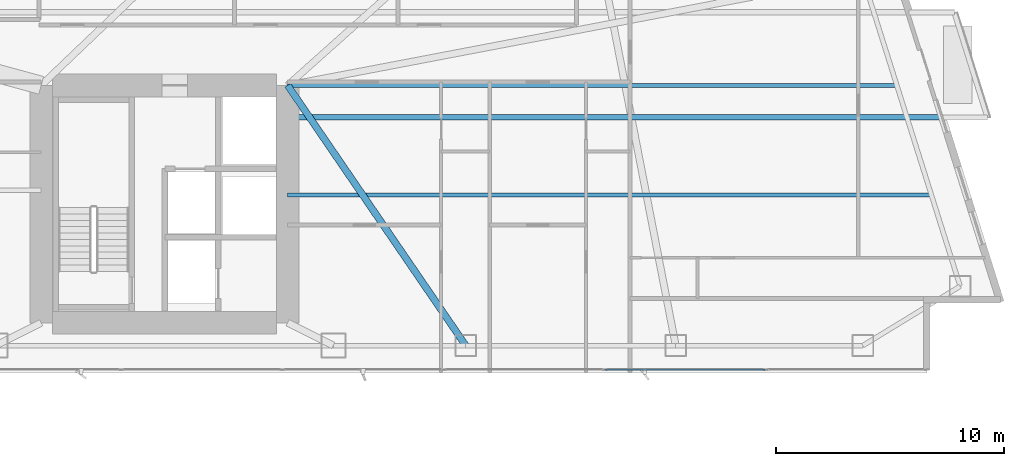
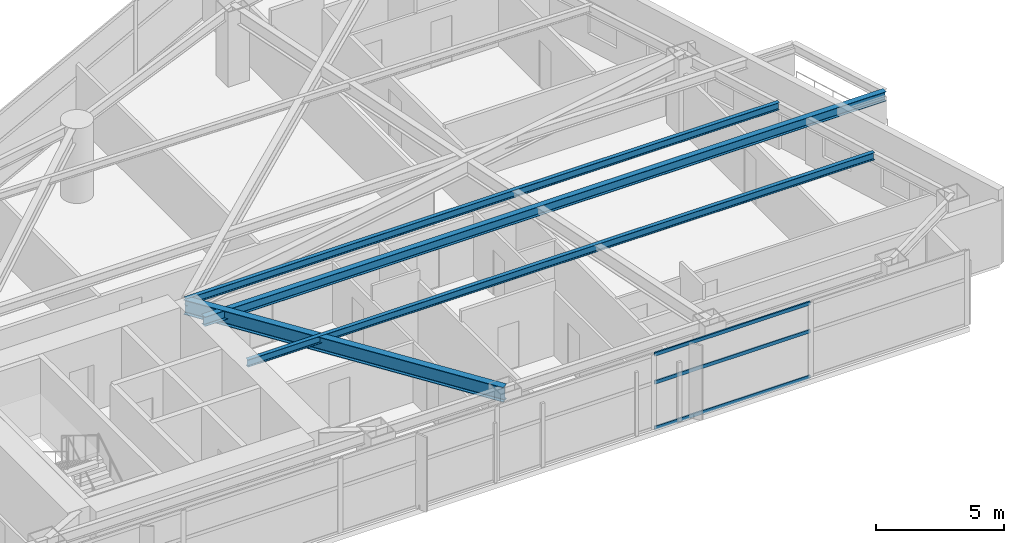
# One storey, part 13 of 29: 4 beams, 3 members, 1 element without a shape of its own.
"""IFC4 building model written with IfcOpenShell, lengths in metres."""

from ifc_helpers import new_model, si_unit, direction, frame, origin, origin_2d, place, context, subcontext, project, spatial, hollow_rectangle, i_section, extrude, material, layer, layer_set, material_profile, profile_set, type_object, element, aggregate, save


model = new_model("IFC4")

# Units and contexts
model_context = context("Model", 3, precision=1e-05, world=origin(), true_north=direction((0.0, 1.0)))
body_context = subcontext(model_context, "Body", "Model", "MODEL_VIEW")
ifc_project = project(units=[si_unit("LENGTHUNIT", "METRE"), si_unit("AREAUNIT", "SQUARE_METRE"), si_unit("VOLUMEUNIT", "CUBIC_METRE"), si_unit("PLANEANGLEUNIT", "RADIAN"), si_unit("MASSUNIT", "GRAM", prefix="KILO")], contexts=[model_context])

# Site, building, storey
site_placement = place(None, origin())
site = spatial("IfcSite", under=ifc_project, at=site_placement, CompositionType="ELEMENT")
building_placement = place(site_placement, origin())
building = spatial("IfcBuilding", under=site, at=building_placement, Name="Calvorn Quay Hotel", CompositionType="ELEMENT")
storey_placement = place(building_placement, frame((0.0, 0.0, 34.60009765625)))
storey = spatial("IfcBuildingStorey", under=building, at=storey_placement, Name="L07", CompositionType="ELEMENT", Elevation=34.60009765625)

# Beams
ifc_material_1 = material(Name="Steel Q355B", Category="steel")
ifc_material_profile_1 = material_profile(ifc_material_1, i_section(OverallWidth=0.25, OverallDepth=0.449951171875, WebThickness=0.011962890625, FlangeThickness=0.01611328125, FilletRadius=0.01611328125, at=origin_2d()), Name="HN450x250x12x16")
ifc_profile_set_1 = profile_set([ifc_material_profile_1], Name="Steel Q355B")
beam_type_1 = type_object("IfcBeamType", Name="BM-CANT-BALC", PredefinedType="BEAM", material=ifc_profile_set_1)
beam_1_placement = place(storey_placement, frame((32.39990234375, 13.60009765625, 3.31494140625), z_axis=(1.0, 0.0, 0.0), x_axis=(0.0, 1.0, 0.0)))
element("IfcBeam", 1, at=beam_1_placement, inside=storey, type_object=beam_type_1, Name="Cantilever Balcony Beam BCB-L08-1A", PredefinedType="BEAM", context=body_context, shape_type="SweptSolid", body=[
    extrude(i_section(OverallWidth=0.25, OverallDepth=0.449951171875, WebThickness=0.011962890625, FlangeThickness=0.01611328125, FilletRadius=0.01611328125, at=origin_2d()), origin(), (0.0, 0.0, 1.0), 30.669189453125),
])
ifc_material_2 = material(Name="Steel Q390GJC", Category="steel")
ifc_material_profile_2 = material_profile(ifc_material_2, i_section(OverallWidth=0.300048828125, OverallDepth=0.699951171875, WebThickness=0.012939453125, FlangeThickness=0.02392578125, FilletRadius=0.02392578125, at=origin_2d()), Name="HN700x300x13x24")
ifc_profile_set_2 = profile_set([ifc_material_profile_2], Name="Steel Q390GJC")
beam_type_2 = type_object("IfcBeamType", Name="BM-GIRD-MAIN", PredefinedType="BEAM", material=ifc_profile_set_2)
beam_2_placement = place(storey_placement, frame((40.199951171875, 3.60009765625, 3.18994140625), z_axis=(-0.564689618177, 0.825303359452, 0.0), x_axis=(-0.825303359452, -0.564689618177, 0.0)))
element("IfcBeam", 2, at=beam_2_placement, inside=storey, type_object=beam_type_2, Name="Beam BG-L07-E6", PredefinedType="BEAM", context=body_context, shape_type="SweptSolid", body=[
    extrude(i_section(OverallWidth=0.300048828125, OverallDepth=0.699951171875, WebThickness=0.012939453125, FlangeThickness=0.02392578125, FilletRadius=0.02392578125, at=origin_2d()), origin(), (0.0, 0.0, 1.0), 13.81298828125),
])
ifc_material_3 = material(Name="Steel Q355B", Category="steel")
ifc_material_profile_3 = material_profile(ifc_material_3, i_section(OverallWidth=0.175048828125, OverallDepth=0.35009765625, WebThickness=0.007080078125, FlangeThickness=0.010986328125, FilletRadius=0.013916015625, at=origin_2d()), Name="HN350x175x7x11")
ifc_profile_set_3 = profile_set([ifc_material_profile_3], Name="Steel Q355B")
beam_type_3 = type_object("IfcBeamType", Name="BM-JOIST-SEC", PredefinedType="JOIST", material=ifc_profile_set_3)
beam_3_placement = place(storey_placement, frame((32.39990234375, 10.199951171875, 3.364990234375), z_axis=(1.0, 0.0, 0.0), x_axis=(0.0, 1.0, 0.0)))
element("IfcBeam", 3, at=beam_3_placement, inside=storey, type_object=beam_type_3, Name="Beam BJ-L07-E1", PredefinedType="JOIST", context=body_context, shape_type="SweptSolid", body=[
    extrude(i_section(OverallWidth=0.175048828125, OverallDepth=0.35009765625, WebThickness=0.007080078125, FlangeThickness=0.010986328125, FilletRadius=0.013916015625, at=origin_2d()), origin(), (0.0, 0.0, 1.0), 28.201171875),
])
beam_4_placement = place(storey_placement, frame((32.39990234375, 15.0, 3.364990234375), z_axis=(1.0, 0.0, 0.0), x_axis=(0.0, 1.0, 0.0)))
element("IfcBeam", 4, at=beam_4_placement, inside=storey, type_object=beam_type_3, Name="Beam BJ-L07-E2", PredefinedType="JOIST", context=body_context, shape_type="SweptSolid", body=[
    extrude(i_section(OverallWidth=0.175048828125, OverallDepth=0.35009765625, WebThickness=0.007080078125, FlangeThickness=0.010986328125, FilletRadius=0.013916015625, at=origin_2d()), origin(), (0.0, 0.0, 1.0), 26.68798828125),
])

# Curtain wall, members
ifc_material_4 = material(Name="Pale Anodised Aluminium and Low-E Glass", Category="aluminium")
ifc_layer = layer(ifc_material_4, 0.219970703125)
ifc_layer_set = layer_set([ifc_layer], Name="CW-SYS-Z1")
curtain_wall_type = type_object("IfcCurtainWallType", Name="CW-SYS-Z1", PredefinedType="NOTDEFINED", material=ifc_layer_set)
curtain_wall_placement = place(storey_placement, origin())
curtain_wall = element("IfcCurtainWall", 5, at=curtain_wall_placement, inside=storey, type_object=curtain_wall_type, Name="Tower South Waterfront Curtain Wall (L07)", PredefinedType="NOTDEFINED")
ifc_material_5 = material(Name="Pale Anodised Aluminium 6063-T6", Category="aluminium")
ifc_material_profile_4 = material_profile(ifc_material_5, hollow_rectangle(XDim=0.06494140625, YDim=0.1650390625, WallThickness=0.00341796875, at=origin_2d()), Name="ALU-T165x65x3.5")
ifc_profile_set_4 = profile_set([ifc_material_profile_4], Name="Pale Anodised Aluminium 6063-T6")
member_type = type_object("IfcMemberType", Name="CW-SYS-Z1-TRN", PredefinedType="USERDEFINED", material=ifc_profile_set_4)
member_1_placement = place(storey_placement, frame((46.315673828125, 2.550048828125, 0.02978515625), z_axis=(1.0, 0.0, 0.0), x_axis=(0.0, 1.0, 0.0)))
member_1 = element("IfcMember", 6, at=member_1_placement, type_object=member_type, Name="CW-L07-S transom 6.1", ObjectType="TRANSOM", PredefinedType="USERDEFINED", context=body_context, shape_type="SweptSolid", body=[
    extrude(hollow_rectangle(XDim=0.06494140625, YDim=0.1650390625, WallThickness=0.00341796875, at=origin_2d()), origin(), (0.0, 0.0, 1.0), 6.9970703125),
])
member_2_placement = place(storey_placement, frame((46.315673828125, 2.550048828125, 2.199951171875), z_axis=(1.0, 0.0, 0.0), x_axis=(0.0, 1.0, 0.0)))
member_2 = element("IfcMember", 7, at=member_2_placement, type_object=member_type, Name="CW-L07-S transom 6.2", ObjectType="TRANSOM", PredefinedType="USERDEFINED", context=body_context, shape_type="SweptSolid", body=[
    extrude(hollow_rectangle(XDim=0.06494140625, YDim=0.1650390625, WallThickness=0.00341796875, at=origin_2d()), origin(), (0.0, 0.0, 1.0), 6.9970703125),
])
member_3_placement = place(storey_placement, frame((46.315673828125, 2.550048828125, 3.52978515625), z_axis=(1.0, 0.0, 0.0), x_axis=(0.0, 1.0, 0.0)))
member_3 = element("IfcMember", 8, at=member_3_placement, type_object=member_type, Name="CW-L07-S transom 6.3", ObjectType="TRANSOM", PredefinedType="USERDEFINED", context=body_context, shape_type="SweptSolid", body=[
    extrude(hollow_rectangle(XDim=0.06494140625, YDim=0.1650390625, WallThickness=0.00341796875, at=origin_2d()), origin(), (0.0, 0.0, 1.0), 6.9970703125),
])
aggregate(curtain_wall, [member_1, member_2, member_3])

save(model, "model.ifc")
